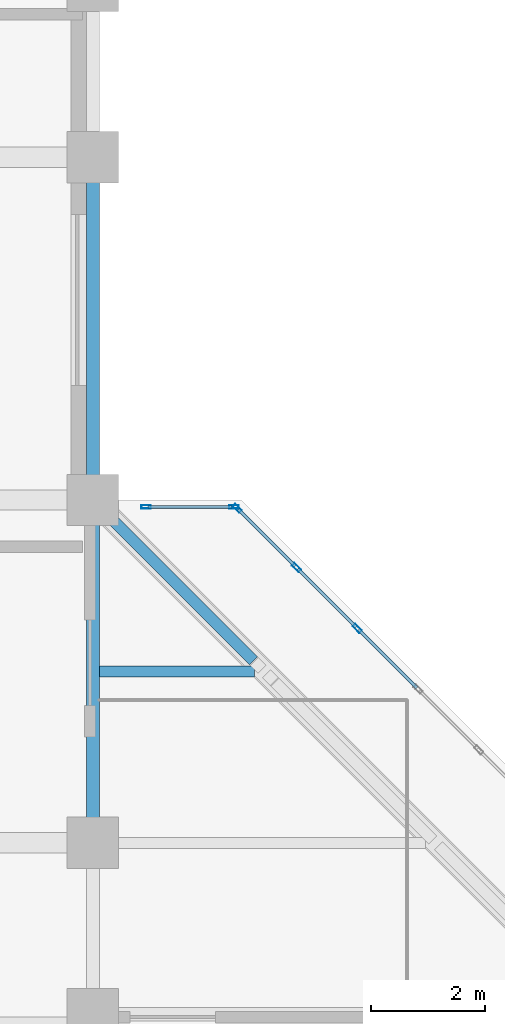
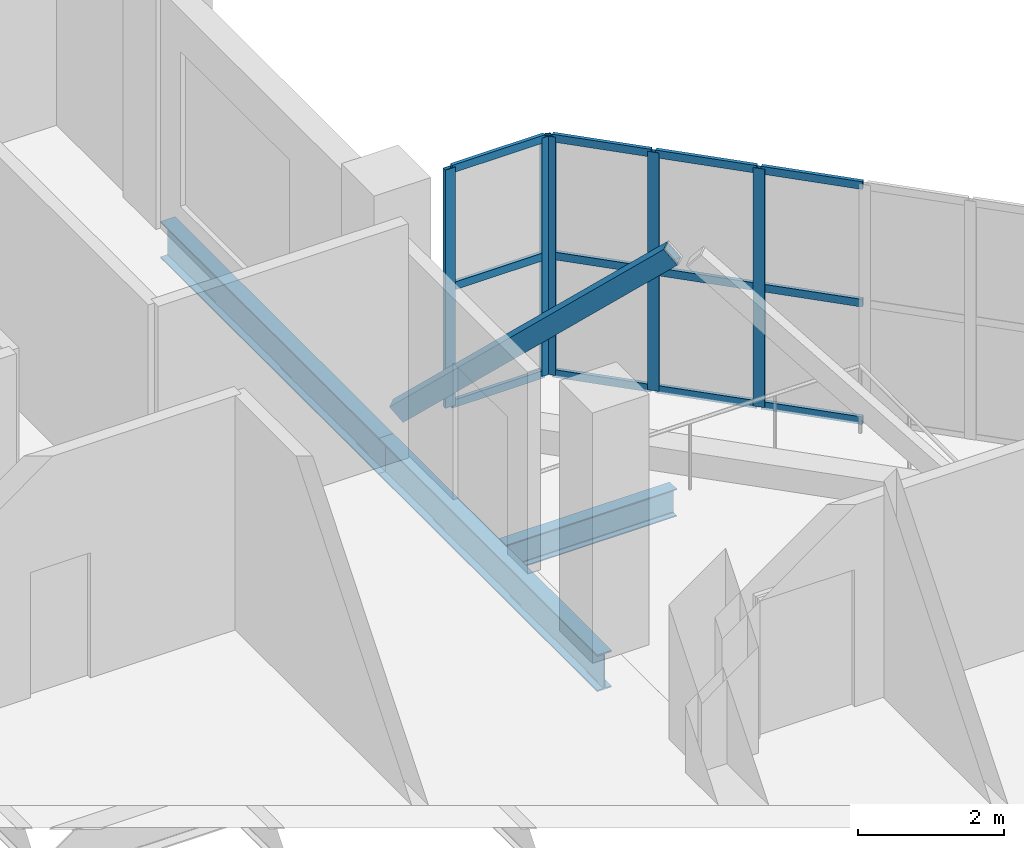
# One storey, part 3 of 9: 18 members, 3 beams, 2 elements without a shape of their own.
"""IFC4 building model written with IfcOpenShell, lengths in metres."""

from ifc_helpers import new_model, si_unit, direction, frame, origin, origin_2d, place, context, subcontext, project, spatial, hollow_rectangle, i_section, extrude, material, layer, layer_set, material_profile, profile_set, type_object, element, aggregate, save


model = new_model("IFC4")

# Units and contexts
model_context = context("Model", 3, precision=1e-05, world=origin(), true_north=direction((0.0, 1.0)))
body_context = subcontext(model_context, "Body", "Model", "MODEL_VIEW")
ifc_project = project(units=[si_unit("LENGTHUNIT", "METRE"), si_unit("AREAUNIT", "SQUARE_METRE"), si_unit("VOLUMEUNIT", "CUBIC_METRE"), si_unit("PLANEANGLEUNIT", "RADIAN"), si_unit("MASSUNIT", "GRAM", prefix="KILO")], contexts=[model_context])

# Site, building, storey
site_placement = place(None, origin())
site = spatial("IfcSite", under=ifc_project, at=site_placement, CompositionType="ELEMENT")
building_placement = place(site_placement, origin())
building = spatial("IfcBuilding", under=site, at=building_placement, Name="Mawjdan Bourse Tower", CompositionType="ELEMENT")
storey_placement = place(building_placement, frame((0.0, 0.0, 160.199951171875)))
storey = spatial("IfcBuildingStorey", under=building, at=storey_placement, Name="L38", CompositionType="ELEMENT", Elevation=160.199951171875)

# Member
ifc_material_1 = material(Name="Structural Steel S460", Category="steel")
ifc_material_profile_1 = material_profile(ifc_material_1, hollow_rectangle(XDim=0.199951171875, YDim=0.300048828125, WallThickness=0.012451171875, at=origin_2d()), Name="HSS300X200X12.5")
ifc_profile_set_1 = profile_set([ifc_material_profile_1], Name="Structural Steel S460")
member_type_1 = type_object("IfcMemberType", Name="BRC-HSS300X200X12.5", PredefinedType="BRACE", material=ifc_profile_set_1)
member_1_placement = place(storey_placement, frame((24.1201171875, 29.8798828125, 0.199951171875), z_axis=(0.536552253275, -0.536552253275, 0.651324311699), x_axis=(0.707106781187, 0.707106781187, 0.0)))
element("IfcMember", 1, at=member_1_placement, inside=storey, type_object=member_type_1, Name="L38 Atrium Sky Bridge Truss Diagonal 1", PredefinedType="BRACE", context=body_context, shape_type="SweptSolid", body=[
    extrude(hollow_rectangle(XDim=0.199951171875, YDim=0.300048828125, WallThickness=0.012451171875, at=origin_2d()), origin(), (0.0, 0.0, 1.0), 5.1435546875),
])

# Beam
ifc_material_2 = material(Name="Structural Steel S355", Category="steel")
ifc_material_profile_2 = material_profile(ifc_material_2, i_section(OverallWidth=0.19189453125, OverallDepth=0.462890625, WebThickness=0.010498046875, FlangeThickness=0.017578125, FilletRadius=0.01416015625, at=origin_2d()), Name="W18X60")
ifc_profile_set_2 = profile_set([ifc_material_profile_2], Name="Structural Steel S355")
beam_type_1 = type_object("IfcBeamType", Name="JST-W18X60", PredefinedType="JOIST", material=ifc_profile_set_2)
beam_placement = place(storey_placement, frame((24.113037109375, 27.0, -0.4814453125), z_axis=(1.0, 0.0, 0.0), x_axis=(0.0, 1.0, 0.0)))
element("IfcBeam", 2, at=beam_placement, inside=storey, type_object=beam_type_1, Name="L38 Atrium Sky Bridge Deck Joist 088", PredefinedType="JOIST", context=body_context, shape_type="SweptSolid", body=[
    extrude(i_section(OverallWidth=0.19189453125, OverallDepth=0.462890625, WebThickness=0.010498046875, FlangeThickness=0.017578125, FilletRadius=0.01416015625, at=origin_2d()), origin(), (0.0, 0.0, 1.0), 2.71142578125),
])

# Curtain wall, members
ifc_material_3 = material(Name="Thermally Broken Aluminium and Solar Glass", Category="aluminium")
ifc_layer = layer(ifc_material_3, 0.219970703125)
ifc_layer_set = layer_set([ifc_layer], Name="Thermally Broken Aluminium and Solar Glass")
curtain_wall_type = type_object("IfcCurtainWallType", Name="CW-BRG", PredefinedType="USERDEFINED", material=ifc_layer_set)
curtain_wall_1_placement = place(storey_placement, origin())
curtain_wall_1 = element("IfcCurtainWall", 3, at=curtain_wall_1_placement, inside=storey, type_object=curtain_wall_type, Name="L38 Atrium Sky Bridge Diagonal Curtain Wall", ObjectType="SKY BRIDGE CURTAIN WALL", PredefinedType="USERDEFINED")
ifc_material_4 = material(Name="Thermally Broken Anodised Aluminium", Category="aluminium")
ifc_material_profile_3 = material_profile(ifc_material_4, hollow_rectangle(XDim=0.06494140625, YDim=0.1650390625, WallThickness=0.00390625, at=origin_2d()), Name="ALU-MUL-165X65")
ifc_profile_set_3 = profile_set([ifc_material_profile_3], Name="Thermally Broken Anodised Aluminium")
member_type_2 = type_object("IfcMemberType", Name="MUL-ALU-MUL-165X65", PredefinedType="MULLION", material=ifc_profile_set_3)
member_2_placement = place(storey_placement, frame((28.626708984375, 27.75341796875, 0.0), z_axis=(0.0, 0.0, 1.0), x_axis=(-0.707106781187, -0.707106781187, 0.0)))
member_2 = element("IfcMember", 4, at=member_2_placement, type_object=member_type_2, Name="CW-BRG-L38-BRG-DIAG mullion 5", PredefinedType="MULLION", context=body_context, shape_type="SweptSolid", body=[
    extrude(hollow_rectangle(XDim=0.06494140625, YDim=0.1650390625, WallThickness=0.00390625, at=origin_2d()), origin(), (0.0, 0.0, 1.0), 4.0),
])
member_3_placement = place(storey_placement, frame((27.563232421875, 28.816650390625, 0.0), z_axis=(0.0, 0.0, 1.0), x_axis=(-0.707106781187, -0.707106781187, 0.0)))
member_3 = element("IfcMember", 5, at=member_3_placement, type_object=member_type_2, Name="CW-BRG-L38-BRG-DIAG mullion 6", PredefinedType="MULLION", context=body_context, shape_type="SweptSolid", body=[
    extrude(hollow_rectangle(XDim=0.06494140625, YDim=0.1650390625, WallThickness=0.00390625, at=origin_2d()), origin(), (0.0, 0.0, 1.0), 4.0),
])
member_4_placement = place(storey_placement, frame((26.52294921875, 29.85693359375, 0.0), z_axis=(0.0, 0.0, 1.0), x_axis=(-0.707106781187, -0.707106781187, 0.0)))
member_4 = element("IfcMember", 6, at=member_4_placement, type_object=member_type_2, Name="CW-BRG-L38-BRG-DIAG mullion 7", PredefinedType="MULLION", context=body_context, shape_type="SweptSolid", body=[
    extrude(hollow_rectangle(XDim=0.06494140625, YDim=0.1650390625, WallThickness=0.00390625, at=origin_2d()), origin(), (0.0, 0.0, 1.0), 4.0),
])

curtain_wall_2_placement = place(storey_placement, origin())
curtain_wall_2 = element("IfcCurtainWall", 7, at=curtain_wall_2_placement, inside=storey, type_object=curtain_wall_type, Name="L38 Atrium Sky Bridge North Return Curtain Wall", ObjectType="SKY BRIDGE CURTAIN WALL", PredefinedType="USERDEFINED")
member_5_placement = place(storey_placement, frame((26.467529296875, 29.8798828125, 0.0), z_axis=(0.0, 0.0, 1.0), x_axis=(0.0, -1.0, 0.0)))
member_5 = element("IfcMember", 8, at=member_5_placement, type_object=member_type_2, Name="CW-BRG-L38-BRG-N mullion 1", PredefinedType="MULLION", context=body_context, shape_type="SweptSolid", body=[
    extrude(hollow_rectangle(XDim=0.06494140625, YDim=0.1650390625, WallThickness=0.00390625, at=origin_2d()), origin(), (0.0, 0.0, 1.0), 4.0),
])
member_6_placement = place(storey_placement, frame((24.9326171875, 29.8798828125, 0.0), z_axis=(0.0, 0.0, 1.0), x_axis=(0.0, -1.0, 0.0)))
member_6 = element("IfcMember", 9, at=member_6_placement, type_object=member_type_2, Name="CW-BRG-L38-BRG-N mullion 2", PredefinedType="MULLION", context=body_context, shape_type="SweptSolid", body=[
    extrude(hollow_rectangle(XDim=0.06494140625, YDim=0.1650390625, WallThickness=0.00390625, at=origin_2d()), origin(), (0.0, 0.0, 1.0), 4.0),
])

# Beams
ifc_material_profile_4 = material_profile(ifc_material_2, i_section(OverallWidth=0.22998046875, OverallDepth=0.616943359375, WebThickness=0.01318359375, FlangeThickness=0.022216796875, FilletRadius=0.017822265625, at=origin_2d()), Name="W24X94")
ifc_profile_set_4 = profile_set([ifc_material_profile_4], Name="Structural Steel S355")
beam_type_2 = type_object("IfcBeamType", Name="SPN-W24X94", PredefinedType="SPANDREL", material=ifc_profile_set_4)
for number, where, z_axis, x_axis, name in (
    (10, (24.0, 24.0, -0.558349609375), (0.0, 1.0, 0.0), (-1.0, 0.0, 0.0), "L38 Sky Bridge West Interface Spandrel 062"),
    (11, (24.0, 30.0, -0.558349609375), (0.0, 1.0, 0.0), (-1.0, 0.0, 0.0), "L38 Sky Bridge West Interface Spandrel 063"),
):
    element("IfcBeam", number, at=place(storey_placement, frame(where, z_axis=z_axis, x_axis=x_axis)), inside=storey, type_object=beam_type_2, Name=name, PredefinedType="SPANDREL", context=body_context, shape_type="SweptSolid", body=[
        extrude(i_section(OverallWidth=0.22998046875, OverallDepth=0.616943359375, WebThickness=0.01318359375, FlangeThickness=0.022216796875, FilletRadius=0.017822265625, at=origin_2d()), origin(), (0.0, 0.0, 1.0), 6.0),
    ])

# Member
ifc_material_profile_5 = material_profile(ifc_material_4, hollow_rectangle(XDim=0.054931640625, YDim=0.1298828125, WallThickness=0.00341796875, at=origin_2d()), Name="ALU-TRN-130X55")
ifc_profile_set_5 = profile_set([ifc_material_profile_5], Name="Thermally Broken Anodised Aluminium")
member_type_3 = type_object("IfcMemberType", Name="TRN-ALU-TRN-130X55", PredefinedType="USERDEFINED", material=ifc_profile_set_5)
member_7_placement = place(storey_placement, frame((29.6669921875, 26.712890625, 0.027587890625), z_axis=(-0.707021940251, 0.707191611943, 0.0), x_axis=(-0.707191611943, -0.707021940251, 0.0)))
member_7 = element("IfcMember", 12, at=member_7_placement, type_object=member_type_3, Name="CW-BRG-L38-BRG-DIAG transom 4.1", ObjectType="TRANSOM", PredefinedType="USERDEFINED", context=body_context, shape_type="SweptSolid", body=[
    extrude(hollow_rectangle(XDim=0.054931640625, YDim=0.1298828125, WallThickness=0.00341796875, at=origin_2d()), origin(), (0.0, 0.0, 1.0), 1.43896484375),
])

member_8_placement = place(storey_placement, frame((29.6669921875, 26.712890625, 2.0), z_axis=(-0.707021940251, 0.707191611943, 0.0), x_axis=(-0.707191611943, -0.707021940251, 0.0)))
member_8 = element("IfcMember", 13, at=member_8_placement, type_object=member_type_3, Name="CW-BRG-L38-BRG-DIAG transom 4.2", ObjectType="TRANSOM", PredefinedType="USERDEFINED", context=body_context, shape_type="SweptSolid", body=[
    extrude(hollow_rectangle(XDim=0.054931640625, YDim=0.1298828125, WallThickness=0.00341796875, at=origin_2d()), origin(), (0.0, 0.0, 1.0), 1.43896484375),
])

member_9_placement = place(storey_placement, frame((29.6669921875, 26.712890625, 3.97265625), z_axis=(-0.707021940251, 0.707191611943, 0.0), x_axis=(-0.707191611943, -0.707021940251, 0.0)))
member_9 = element("IfcMember", 14, at=member_9_placement, type_object=member_type_3, Name="CW-BRG-L38-BRG-DIAG transom 4.3", ObjectType="TRANSOM", PredefinedType="USERDEFINED", context=body_context, shape_type="SweptSolid", body=[
    extrude(hollow_rectangle(XDim=0.054931640625, YDim=0.1298828125, WallThickness=0.00341796875, at=origin_2d()), origin(), (0.0, 0.0, 1.0), 1.43896484375),
])

member_10_placement = place(storey_placement, frame((28.603759765625, 27.7763671875, 0.027587890625), z_axis=(-0.707106781187, 0.707106781187, 0.0), x_axis=(-0.707106781187, -0.707106781187, 0.0)))
member_10 = element("IfcMember", 15, at=member_10_placement, type_object=member_type_3, Name="CW-BRG-L38-BRG-DIAG transom 5.1", ObjectType="TRANSOM", PredefinedType="USERDEFINED", context=body_context, shape_type="SweptSolid", body=[
    extrude(hollow_rectangle(XDim=0.054931640625, YDim=0.1298828125, WallThickness=0.00341796875, at=origin_2d()), origin(), (0.0, 0.0, 1.0), 1.438720703125),
])

member_11_placement = place(storey_placement, frame((28.603759765625, 27.7763671875, 2.0), z_axis=(-0.707106781187, 0.707106781187, 0.0), x_axis=(-0.707106781187, -0.707106781187, 0.0)))
member_11 = element("IfcMember", 16, at=member_11_placement, type_object=member_type_3, Name="CW-BRG-L38-BRG-DIAG transom 5.2", ObjectType="TRANSOM", PredefinedType="USERDEFINED", context=body_context, shape_type="SweptSolid", body=[
    extrude(hollow_rectangle(XDim=0.054931640625, YDim=0.1298828125, WallThickness=0.00341796875, at=origin_2d()), origin(), (0.0, 0.0, 1.0), 1.438720703125),
])

member_12_placement = place(storey_placement, frame((28.603759765625, 27.7763671875, 3.97265625), z_axis=(-0.707106781187, 0.707106781187, 0.0), x_axis=(-0.707106781187, -0.707106781187, 0.0)))
member_12 = element("IfcMember", 17, at=member_12_placement, type_object=member_type_3, Name="CW-BRG-L38-BRG-DIAG transom 5.3", ObjectType="TRANSOM", PredefinedType="USERDEFINED", context=body_context, shape_type="SweptSolid", body=[
    extrude(hollow_rectangle(XDim=0.054931640625, YDim=0.1298828125, WallThickness=0.00341796875, at=origin_2d()), origin(), (0.0, 0.0, 1.0), 1.438720703125),
])

member_13_placement = place(storey_placement, frame((27.540283203125, 28.839599609375, 0.027587890625), z_axis=(-0.707106781187, 0.707106781187, 0.0), x_axis=(-0.707106781187, -0.707106781187, 0.0)))
member_13 = element("IfcMember", 18, at=member_13_placement, type_object=member_type_3, Name="CW-BRG-L38-BRG-DIAG transom 6.1", ObjectType="TRANSOM", PredefinedType="USERDEFINED", context=body_context, shape_type="SweptSolid", body=[
    extrude(hollow_rectangle(XDim=0.054931640625, YDim=0.1298828125, WallThickness=0.00341796875, at=origin_2d()), origin(), (0.0, 0.0, 1.0), 1.40625),
])

member_14_placement = place(storey_placement, frame((27.540283203125, 28.839599609375, 2.0), z_axis=(-0.707106781187, 0.707106781187, 0.0), x_axis=(-0.707106781187, -0.707106781187, 0.0)))
member_14 = element("IfcMember", 19, at=member_14_placement, type_object=member_type_3, Name="CW-BRG-L38-BRG-DIAG transom 6.2", ObjectType="TRANSOM", PredefinedType="USERDEFINED", context=body_context, shape_type="SweptSolid", body=[
    extrude(hollow_rectangle(XDim=0.054931640625, YDim=0.1298828125, WallThickness=0.00341796875, at=origin_2d()), origin(), (0.0, 0.0, 1.0), 1.40625),
])

member_15_placement = place(storey_placement, frame((27.540283203125, 28.839599609375, 3.97265625), z_axis=(-0.707106781187, 0.707106781187, 0.0), x_axis=(-0.707106781187, -0.707106781187, 0.0)))
member_15 = element("IfcMember", 20, at=member_15_placement, type_object=member_type_3, Name="CW-BRG-L38-BRG-DIAG transom 6.3", ObjectType="TRANSOM", PredefinedType="USERDEFINED", context=body_context, shape_type="SweptSolid", body=[
    extrude(hollow_rectangle(XDim=0.054931640625, YDim=0.1298828125, WallThickness=0.00341796875, at=origin_2d()), origin(), (0.0, 0.0, 1.0), 1.40625),
])

aggregate(curtain_wall_1, [member_2, member_3, member_4, member_7, member_8, member_9, member_10, member_11, member_12, member_13, member_14, member_15])

member_16_placement = place(storey_placement, frame((26.43505859375, 29.8798828125, 0.027587890625), z_axis=(-1.0, 0.0, 0.0), x_axis=(0.0, -1.0, 0.0)))
member_16 = element("IfcMember", 21, at=member_16_placement, type_object=member_type_3, Name="CW-BRG-L38-BRG-N transom 1.1", ObjectType="TRANSOM", PredefinedType="USERDEFINED", context=body_context, shape_type="SweptSolid", body=[
    extrude(hollow_rectangle(XDim=0.054931640625, YDim=0.1298828125, WallThickness=0.00341796875, at=origin_2d()), origin(), (0.0, 0.0, 1.0), 1.469970703125),
])

member_17_placement = place(storey_placement, frame((26.43505859375, 29.8798828125, 2.0), z_axis=(-1.0, 0.0, 0.0), x_axis=(0.0, -1.0, 0.0)))
member_17 = element("IfcMember", 22, at=member_17_placement, type_object=member_type_3, Name="CW-BRG-L38-BRG-N transom 1.2", ObjectType="TRANSOM", PredefinedType="USERDEFINED", context=body_context, shape_type="SweptSolid", body=[
    extrude(hollow_rectangle(XDim=0.054931640625, YDim=0.1298828125, WallThickness=0.00341796875, at=origin_2d()), origin(), (0.0, 0.0, 1.0), 1.469970703125),
])

member_18_placement = place(storey_placement, frame((26.43505859375, 29.8798828125, 3.97265625), z_axis=(-1.0, 0.0, 0.0), x_axis=(0.0, -1.0, 0.0)))
member_18 = element("IfcMember", 23, at=member_18_placement, type_object=member_type_3, Name="CW-BRG-L38-BRG-N transom 1.3", ObjectType="TRANSOM", PredefinedType="USERDEFINED", context=body_context, shape_type="SweptSolid", body=[
    extrude(hollow_rectangle(XDim=0.054931640625, YDim=0.1298828125, WallThickness=0.00341796875, at=origin_2d()), origin(), (0.0, 0.0, 1.0), 1.469970703125),
])

aggregate(curtain_wall_2, [member_5, member_6, member_16, member_17, member_18])

save(model, "model.ifc")
